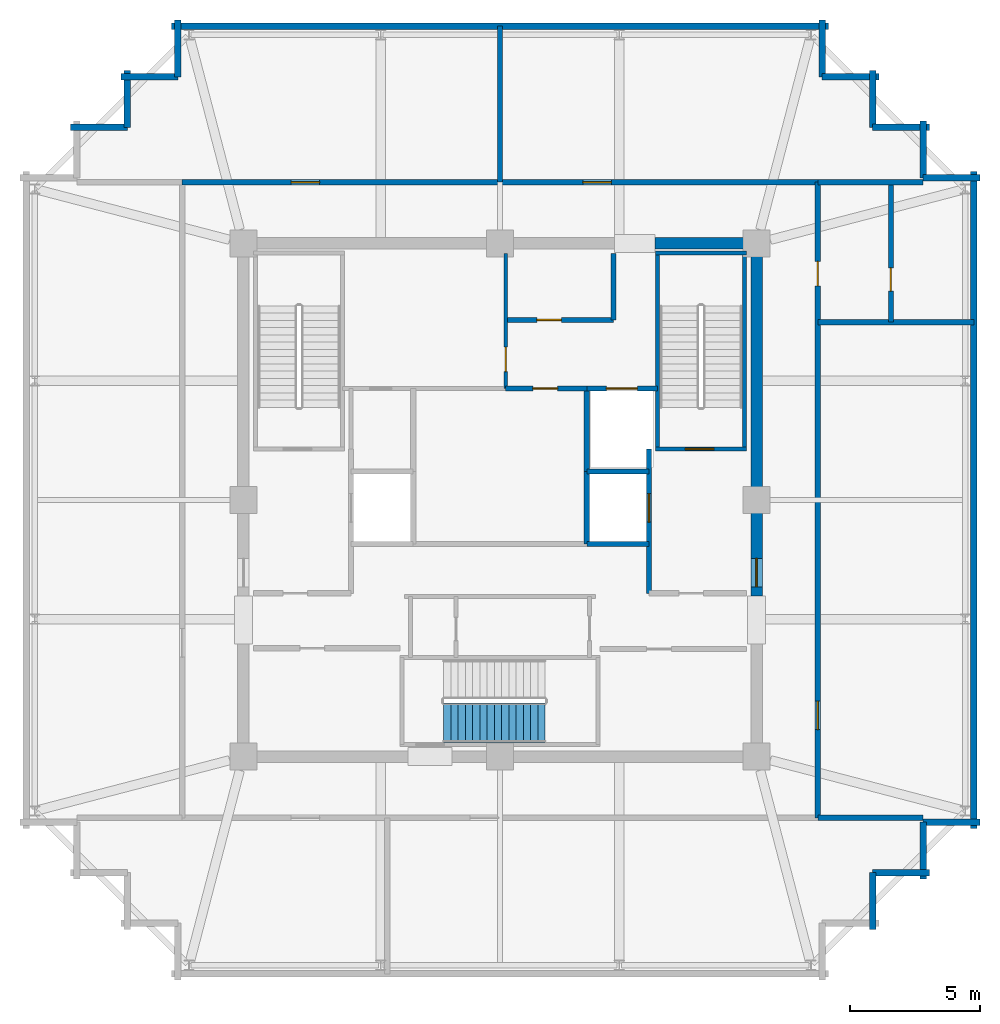
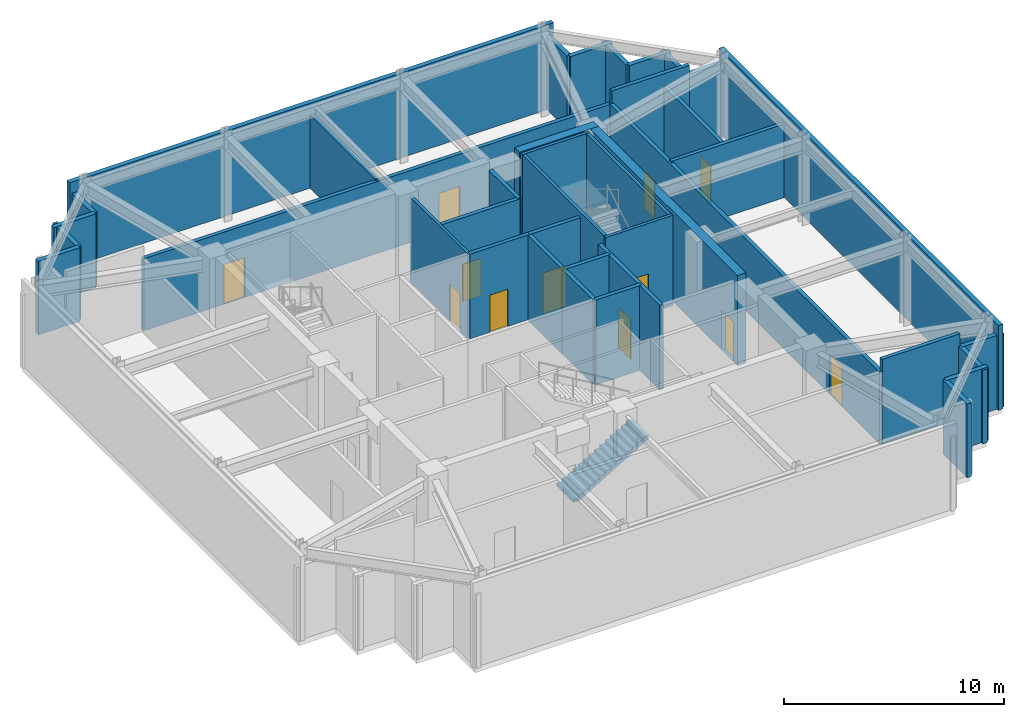
# One storey, part 3 of 5: 39 walls, 12 doors, 1 stair flight, 12 openings, 1 element without a shape of its own.
"""IFC4 building model written with IfcOpenShell, lengths in metres."""

from ifc_helpers import new_model, si_unit, direction, frame, frame_2d, origin, place, context, subcontext, project, spatial, polyline, rectangle, outline, extrude, material, layer, layer_set, type_object, element, fill, aggregate, save


model = new_model("IFC4")

# Units and contexts
model_context = context("Model", 3, precision=1e-05, world=origin(), true_north=direction((0.0, 1.0)))
body_context = subcontext(model_context, "Body", "Model", "MODEL_VIEW")
ifc_project = project(units=[si_unit("LENGTHUNIT", "METRE"), si_unit("AREAUNIT", "SQUARE_METRE"), si_unit("VOLUMEUNIT", "CUBIC_METRE"), si_unit("PLANEANGLEUNIT", "RADIAN"), si_unit("MASSUNIT", "GRAM", prefix="KILO")], contexts=[model_context])

# Site, building, storey
site_placement = place(None, origin())
site = spatial("IfcSite", under=ifc_project, at=site_placement, CompositionType="ELEMENT")
building_placement = place(site_placement, origin())
building = spatial("IfcBuilding", under=site, at=building_placement, Name="Kolvaren Belvedere", CompositionType="ELEMENT")
storey_placement = place(building_placement, frame((0.0, 0.0, 277.39990234375)))
storey = spatial("IfcBuildingStorey", under=building, at=storey_placement, Name="L79", CompositionType="ELEMENT", Elevation=277.39990234375)

# Wall
ifc_material_1 = material(Name="Concrete C50/60", Category="concrete")
ifc_layer_1 = layer(ifc_material_1, 0.449951171875)
ifc_layer_set_1 = layer_set([ifc_layer_1], Name="Concrete C50/60")
wall_type_1 = type_object("IfcWallType", Name="CW-CORE-450", PredefinedType="SHEAR", material=ifc_layer_set_1)
wall_1_placement = place(storey_placement, frame((5.97998046875, 9.89990234375, 0.0), z_axis=(0.0, 0.0, 1.0), x_axis=(1.0, 0.0, 0.0)))
element("IfcWall", 1, at=wall_1_placement, inside=storey, type_object=wall_type_1, Name="L79 North Core Shear Wall 2", PredefinedType="SHEAR", context=body_context, shape_type="SweptSolid", body=[
    extrude(rectangle(XDim=4.14501953125, YDim=0.449951171875, at=frame_2d((2.072509765625, 0.0))), origin(), (0.0, 0.0, 1.0), 5.0),
])

# Wall, opening, door
wall_2_placement = place(storey_placement, frame((9.89990234375, -3.699951171875, 0.0), z_axis=(0.0, 0.0, 1.0), x_axis=(0.0, 1.0, 0.0)))
wall_2 = element("IfcWall", 2, at=wall_2_placement, inside=storey, type_object=wall_type_1, Name="L79 East Core Shear Wall 2", PredefinedType="SHEAR", context=body_context, shape_type="SweptSolid", body=[
    extrude(rectangle(XDim=13.375, YDim=0.449951171875, at=frame_2d((6.6875, 0.0))), origin(), (0.0, 0.0, 1.0), 5.0),
])
opening_1_placement = place(wall_2_placement, frame((0.35009765625, 0.0, 0.0)))
opening_1 = element("IfcOpeningElement", 3, at=opening_1_placement, cuts=wall_2, Name="Opening D-FD90", PredefinedType="OPENING", context=body_context, shape_type="SweptSolid", body=[
    extrude(rectangle(XDim=1.10009765625, YDim=2.199951171875, at=frame_2d((0.550048828125, 1.10009765625))), frame((0.0, 0.23486328125, 0.0), z_axis=(0.0, -1.0, 0.0), x_axis=(1.0, 0.0, 0.0)), (0.0, 0.0, 1.0), 0.469970703125),
])
ifc_material_2 = material(Name="Painted hollow stainless steel", Category="steel")
door_type_1 = type_object("IfcDoorType", Name="DR-FD90-1100", OperationType="NOTDEFINED", PredefinedType="DOOR", material=ifc_material_2)
door_1_placement = place(opening_1_placement, origin())
door_1 = element("IfcDoor", 4, at=door_1_placement, inside=storey, type_object=door_type_1, Name="L79 East Firefighting Lobby Fire Door", OperationType="SINGLE_SWING_RIGHT", OverallHeight=2.199951171875, OverallWidth=1.10009765625, PredefinedType="DOOR", context=body_context, shape_type="SweptSolid", body=[
    extrude(rectangle(XDim=1.10009765625, YDim=2.199951171875, at=frame_2d((0.550048828125, 1.10009765625))), frame((0.0, 0.02490234375, 0.0), z_axis=(0.0, -1.0, 0.0), x_axis=(1.0, 0.0, 0.0)), (0.0, 0.0, 1.0), 0.050048828125),
])
fill(opening_1, door_1)

ifc_material_3 = material(Name="Concrete C50/60", Category="concrete")
ifc_layer_2 = layer(ifc_material_3, 0.159912109375)
ifc_layer_set_2 = layer_set([ifc_layer_2], Name="Concrete C50/60")
wall_type_2 = type_object("IfcWallType", Name="CW-STAIR-160", PredefinedType="SHEAR", material=ifc_layer_set_2)
wall_3_placement = place(storey_placement, frame((6.0, 1.969970703125, 0.0), z_axis=(0.0, 0.0, 1.0), x_axis=(1.0, 0.0, 0.0)))
wall_3 = element("IfcWall", 5, at=wall_3_placement, inside=storey, type_object=wall_type_2, Name="L79 Stair ST-2 South Shear Wall", PredefinedType="SHEAR", context=body_context, shape_type="SweptSolid", body=[
    extrude(rectangle(XDim=3.52001953125, YDim=0.159912109375, at=frame_2d((1.760009765625, 0.0))), origin(), (0.0, 0.0, 1.0), 5.0),
])
opening_2_placement = place(wall_3_placement, frame((1.14990234375, 0.0, 0.0)))
opening_2 = element("IfcOpeningElement", 6, at=opening_2_placement, cuts=wall_3, Name="Opening D-FD90", PredefinedType="OPENING", context=body_context, shape_type="SweptSolid", body=[
    extrude(rectangle(XDim=1.10009765625, YDim=2.199951171875, at=frame_2d((0.550048828125, 1.10009765625))), frame((0.0, 0.08984375, 0.0), z_axis=(0.0, -1.0, 0.0), x_axis=(1.0, 0.0, 0.0)), (0.0, 0.0, 1.0), 0.179931640625),
])
door_2_placement = place(opening_2_placement, origin())
door_2 = element("IfcDoor", 7, at=door_2_placement, inside=storey, type_object=door_type_1, Name="L79 Stair ST-2 Fire Door", OperationType="SINGLE_SWING_RIGHT", OverallHeight=2.199951171875, OverallWidth=1.10009765625, PredefinedType="DOOR", context=body_context, shape_type="SweptSolid", body=[
    extrude(rectangle(XDim=1.10009765625, YDim=2.199951171875, at=frame_2d((0.550048828125, 1.10009765625))), frame((0.0, 0.02490234375, 0.0), z_axis=(0.0, -1.0, 0.0), x_axis=(1.0, 0.0, 0.0)), (0.0, 0.0, 1.0), 0.050048828125),
])
fill(opening_2, door_2)

# Walls
wall_4_placement = place(storey_placement, frame((6.0, 9.530029296875, 0.0), z_axis=(0.0, 0.0, 1.0), x_axis=(1.0, 0.0, 0.0)))
element("IfcWall", 8, at=wall_4_placement, inside=storey, type_object=wall_type_2, Name="L79 Stair ST-2 North Shear Wall", PredefinedType="SHEAR", context=body_context, shape_type="SweptSolid", body=[
    extrude(rectangle(XDim=3.52001953125, YDim=0.159912109375, at=frame_2d((1.760009765625, 0.0))), origin(), (0.0, 0.0, 1.0), 5.0),
])
for number, where, z_axis, x_axis, name in (
    (9, (6.080078125, 1.969970703125, 0.0), (0.0, 0.0, 1.0), (0.0, 1.0, 0.0), "L79 Stair ST-2 West Shear Wall"),
    (10, (9.429931640625, 1.969970703125, 0.0), (0.0, 0.0, 1.0), (0.0, 1.0, 0.0), "L79 Stair ST-2 East Shear Wall"),
):
    element("IfcWall", number, at=place(storey_placement, frame(where, z_axis=z_axis, x_axis=x_axis)), inside=storey, type_object=wall_type_2, Name=name, PredefinedType="SHEAR", context=body_context, shape_type="SweptSolid", body=[
        extrude(rectangle(XDim=7.56005859375, YDim=0.159912109375, at=frame_2d((3.780029296875, 0.0))), origin(), (0.0, 0.0, 1.0), 5.0),
    ])
ifc_material_4 = material(Name="Insulated acoustic pale-metal louvre wall", Category="aluminium")
ifc_layer_3 = layer(ifc_material_4, 0.239990234375)
ifc_layer_set_3 = layer_set([ifc_layer_3], Name="Insulated acoustic pale-metal louvre wall")
wall_type_3 = type_object("IfcWallType", Name="WL-LOUV-240", PredefinedType="STANDARD", material=ifc_layer_set_3)
for number, where, z_axis, x_axis, name in (
    (11, (14.3798828125, -14.3798828125, 0.0), (0.0, 0.0, 1.0), (0.0, -1.0, 0.0), "L79 Acoustic Louvre Facade Wall 4"),
    (12, (16.570068359375, -14.3798828125, 0.0), (0.0, 0.0, 1.0), (-1.0, 0.0, 0.0), "L79 Acoustic Louvre Facade Wall 5"),
    (13, (16.330078125, -12.429931640625, 0.0), (0.0, 0.0, 1.0), (0.0, -1.0, 0.0), "L79 Acoustic Louvre Facade Wall 6"),
):
    element("IfcWall", number, at=place(storey_placement, frame(where, z_axis=z_axis, x_axis=x_axis)), inside=storey, type_object=wall_type_3, Name=name, PredefinedType="STANDARD", context=body_context, shape_type="SweptSolid", body=[
        extrude(rectangle(XDim=2.190185546875, YDim=0.239990234375, at=frame_2d((1.09521484375, 0.0))), origin(), (0.0, 0.0, 1.0), 4.0830078125),
    ])
wall_5_placement = place(storey_placement, frame((18.52001953125, -12.429931640625, 0.0), z_axis=(0.0, 0.0, 1.0), x_axis=(-1.0, 0.0, 0.0)))
element("IfcWall", 14, at=wall_5_placement, inside=storey, type_object=wall_type_3, Name="L79 Acoustic Louvre Facade Wall 7", PredefinedType="STANDARD", context=body_context, shape_type="SweptSolid", body=[
    extrude(rectangle(XDim=2.18994140625, YDim=0.239990234375, at=frame_2d((1.094970703125, 0.0))), origin(), (0.0, 0.0, 1.0), 4.0830078125),
])
wall_6_placement = place(storey_placement, frame((18.280029296875, 12.669921875, 0.0), z_axis=(0.0, 0.0, 1.0), x_axis=(0.0, -1.0, 0.0)))
element("IfcWall", 15, at=wall_6_placement, inside=storey, type_object=wall_type_3, Name="L79 Acoustic Louvre Facade Wall 8", PredefinedType="STANDARD", context=body_context, shape_type="SweptSolid", body=[
    extrude(rectangle(XDim=25.33984375, YDim=0.239990234375, at=frame_2d((12.669921875, 0.0))), origin(), (0.0, 0.0, 1.0), 4.7001953125),
])
wall_7_placement = place(storey_placement, frame((16.330078125, 12.429931640625, 0.0), z_axis=(0.0, 0.0, 1.0), x_axis=(1.0, 0.0, 0.0)))
element("IfcWall", 16, at=wall_7_placement, inside=storey, type_object=wall_type_3, Name="L79 Acoustic Louvre Facade Wall 9", PredefinedType="STANDARD", context=body_context, shape_type="SweptSolid", body=[
    extrude(rectangle(XDim=2.18994140625, YDim=0.239990234375, at=frame_2d((1.094970703125, 0.0))), origin(), (0.0, 0.0, 1.0), 4.0830078125),
])
for number, where, z_axis, x_axis, name in (
    (17, (16.330078125, 14.6201171875, 0.0), (0.0, 0.0, 1.0), (0.0, -1.0, 0.0), "L79 Acoustic Louvre Facade Wall 10"),
    (18, (14.3798828125, 14.3798828125, 0.0), (0.0, 0.0, 1.0), (1.0, 0.0, 0.0), "L79 Acoustic Louvre Facade Wall 11"),
    (19, (14.3798828125, 16.570068359375, 0.0), (0.0, 0.0, 1.0), (0.0, -1.0, 0.0), "L79 Acoustic Louvre Facade Wall 12"),
    (20, (12.429931640625, 16.330078125, 0.0), (0.0, 0.0, 1.0), (1.0, 0.0, 0.0), "L79 Acoustic Louvre Facade Wall 13"),
):
    element("IfcWall", number, at=place(storey_placement, frame(where, z_axis=z_axis, x_axis=x_axis)), inside=storey, type_object=wall_type_3, Name=name, PredefinedType="STANDARD", context=body_context, shape_type="SweptSolid", body=[
        extrude(rectangle(XDim=2.190185546875, YDim=0.239990234375, at=frame_2d((1.09521484375, 0.0))), origin(), (0.0, 0.0, 1.0), 4.0830078125),
    ])
wall_8_placement = place(storey_placement, frame((12.429931640625, 18.52001953125, 0.0), z_axis=(0.0, 0.0, 1.0), x_axis=(0.0, -1.0, 0.0)))
element("IfcWall", 21, at=wall_8_placement, inside=storey, type_object=wall_type_3, Name="L79 Acoustic Louvre Facade Wall 14", PredefinedType="STANDARD", context=body_context, shape_type="SweptSolid", body=[
    extrude(rectangle(XDim=2.18994140625, YDim=0.239990234375, at=frame_2d((1.094970703125, 0.0))), origin(), (0.0, 0.0, 1.0), 4.0830078125),
])
wall_9_placement = place(storey_placement, frame((-12.669921875, 18.280029296875, 0.0), z_axis=(0.0, 0.0, 1.0), x_axis=(1.0, 0.0, 0.0)))
element("IfcWall", 22, at=wall_9_placement, inside=storey, type_object=wall_type_3, Name="L79 Acoustic Louvre Facade Wall 15", PredefinedType="STANDARD", context=body_context, shape_type="SweptSolid", body=[
    extrude(rectangle(XDim=25.33984375, YDim=0.239990234375, at=frame_2d((12.669921875, 0.0))), origin(), (0.0, 0.0, 1.0), 4.7001953125),
])
wall_10_placement = place(storey_placement, frame((-12.429931640625, 16.330078125, 0.0), z_axis=(0.0, 0.0, 1.0), x_axis=(0.0, 1.0, 0.0)))
element("IfcWall", 23, at=wall_10_placement, inside=storey, type_object=wall_type_3, Name="L79 Acoustic Louvre Facade Wall 16", PredefinedType="STANDARD", context=body_context, shape_type="SweptSolid", body=[
    extrude(rectangle(XDim=2.18994140625, YDim=0.239990234375, at=frame_2d((1.094970703125, 0.0))), origin(), (0.0, 0.0, 1.0), 4.0830078125),
])
for number, where, z_axis, x_axis, name in (
    (24, (-14.6201171875, 16.330078125, 0.0), (0.0, 0.0, 1.0), (1.0, 0.0, 0.0), "L79 Acoustic Louvre Facade Wall 17"),
    (25, (-14.3798828125, 14.3798828125, 0.0), (0.0, 0.0, 1.0), (0.0, 1.0, 0.0), "L79 Acoustic Louvre Facade Wall 18"),
    (26, (-16.570068359375, 14.3798828125, 0.0), (0.0, 0.0, 1.0), (1.0, 0.0, 0.0), "L79 Acoustic Louvre Facade Wall 19"),
):
    element("IfcWall", number, at=place(storey_placement, frame(where, z_axis=z_axis, x_axis=x_axis)), inside=storey, type_object=wall_type_3, Name=name, PredefinedType="STANDARD", context=body_context, shape_type="SweptSolid", body=[
        extrude(rectangle(XDim=2.190185546875, YDim=0.239990234375, at=frame_2d((1.09521484375, 0.0))), origin(), (0.0, 0.0, 1.0), 4.0830078125),
    ])

# Wall, opening, door
ifc_material_5 = material(Name="Gypsum acoustic partition assembly", Category="gypsum")
ifc_layer_4 = layer(ifc_material_5, 0.14990234375)
ifc_layer_set_4 = layer_set([ifc_layer_4], Name="Gypsum acoustic partition assembly")
wall_type_4 = type_object("IfcWallType", Name="WL-PART-150", PredefinedType="PARTITIONING", material=ifc_layer_set_4)
wall_11_placement = place(storey_placement, frame((0.219970703125, 4.300048828125, 0.0), z_axis=(0.0, 0.0, 1.0), x_axis=(0.0, 1.0, 0.0)))
wall_11 = element("IfcWall", 27, at=wall_11_placement, inside=storey, type_object=wall_type_4, Name="L79 Reclaimed Salon East Wall", PredefinedType="PARTITIONING", context=body_context, shape_type="SweptSolid", body=[
    extrude(rectangle(XDim=5.219970703125, YDim=0.14990234375, at=frame_2d((2.60986328125, 0.0))), origin(), (0.0, 0.0, 1.0), 4.7001953125),
])
opening_3_placement = place(wall_11_placement, frame((0.64990234375, 0.0, 0.0)))
opening_3 = element("IfcOpeningElement", 28, at=opening_3_placement, cuts=wall_11, Name="Opening D-INT95", PredefinedType="OPENING", context=body_context, shape_type="SweptSolid", body=[
    extrude(rectangle(XDim=0.949951171875, YDim=2.06005859375, at=frame_2d((0.47509765625, 1.030029296875))), frame((0.0, 0.0849609375, 0.0), z_axis=(0.0, -1.0, 0.0), x_axis=(1.0, 0.0, 0.0)), (0.0, 0.0, 1.0), 0.169921875),
])
ifc_material_6 = material(Name="Stained Pacific white oak", Category="timber")
door_type_2 = type_object("IfcDoorType", Name="DR-INT-950", OperationType="NOTDEFINED", PredefinedType="DOOR", material=ifc_material_6)
door_3_placement = place(opening_3_placement, origin())
door_3 = element("IfcDoor", 29, at=door_3_placement, inside=storey, type_object=door_type_2, Name="L79 Telemetry & Controls Mechanical Plant Door", OperationType="SINGLE_SWING_LEFT", OverallHeight=2.06005859375, OverallWidth=0.949951171875, PredefinedType="DOOR", context=body_context, shape_type="SweptSolid", body=[
    extrude(rectangle(XDim=0.949951171875, YDim=2.06005859375, at=frame_2d((0.47509765625, 1.030029296875))), frame((0.0, 0.02490234375, 0.0), z_axis=(0.0, -1.0, 0.0), x_axis=(1.0, 0.0, 0.0)), (0.0, 0.0, 1.0), 0.050048828125),
])
fill(opening_3, door_3)

ifc_material_7 = material(Name="Concrete C50/60", Category="concrete")
ifc_layer_5 = layer(ifc_material_7, 0.199951171875)
ifc_layer_set_5 = layer_set([ifc_layer_5], Name="Concrete C50/60")
wall_type_5 = type_object("IfcWallType", Name="WL-SHAFT-200", PredefinedType="SOLIDWALL", material=ifc_layer_set_5)
wall_12_placement = place(storey_placement, frame((5.75, -3.60009765625, 0.0), z_axis=(0.0, 0.0, 1.0), x_axis=(0.0, 1.0, 0.0)))
wall_12 = element("IfcWall", 30, at=wall_12_placement, inside=storey, type_object=wall_type_5, Name="L79 FSAE FS2 Landing Wall", PredefinedType="SOLIDWALL", context=body_context, shape_type="SweptSolid", body=[
    extrude(rectangle(XDim=5.570068359375, YDim=0.199951171875, at=frame_2d((2.78515625, 0.0))), origin(), (0.0, 0.0, 1.0), 4.7001953125),
])
opening_4_placement = place(wall_12_placement, frame((2.75, 0.0, 0.0)))
opening_4 = element("IfcOpeningElement", 31, at=opening_4_placement, cuts=wall_12, Name="Opening LD-11", PredefinedType="OPENING", context=body_context, shape_type="SweptSolid", body=[
    extrude(rectangle(XDim=1.10009765625, YDim=2.199951171875, at=frame_2d((0.550048828125, 1.10009765625))), frame((0.0, 0.10986328125, 0.0), z_axis=(0.0, -1.0, 0.0), x_axis=(1.0, 0.0, 0.0)), (0.0, 0.0, 1.0), 0.219970703125),
])
ifc_material_8 = material(Name="Brushed stainless steel", Category="steel")
door_type_3 = type_object("IfcDoorType", Name="DR-LIFT-1100", OperationType="DOUBLE_DOOR_SLIDING", PredefinedType="DOOR", material=ifc_material_8)
door_4_placement = place(opening_4_placement, origin())
door_4 = element("IfcDoor", 32, at=door_4_placement, inside=storey, type_object=door_type_3, Name="L79 Firefighting Lift FS2 Landing Door", OperationType="DOUBLE_DOOR_SLIDING", OverallHeight=2.199951171875, OverallWidth=1.10009765625, PredefinedType="DOOR", context=body_context, shape_type="SweptSolid", body=[
    extrude(rectangle(XDim=1.10009765625, YDim=2.199951171875, at=frame_2d((0.550048828125, 1.10009765625))), frame((0.0, 0.02490234375, 0.0), z_axis=(0.0, -1.0, 0.0), x_axis=(1.0, 0.0, 0.0)), (0.0, 0.0, 1.0), 0.050048828125),
])
fill(opening_4, door_4)

# Walls
wall_13_placement = place(storey_placement, frame((3.35009765625, -1.699951171875, 0.0), z_axis=(0.0, 0.0, 1.0), x_axis=(0.0, 1.0, 0.0)))
element("IfcWall", 33, at=wall_13_placement, inside=storey, type_object=wall_type_5, Name="L79 FSAE FS2 Back Wall", PredefinedType="SOLIDWALL", context=body_context, shape_type="SweptSolid", body=[
    extrude(rectangle(XDim=2.800048828125, YDim=0.199951171875, at=frame_2d((1.39990234375, 0.0))), origin(), (0.0, 0.0, 1.0), 4.7001953125),
])
for number, where, z_axis, x_axis, name in (
    (34, (3.35009765625, -1.699951171875, 0.0), (0.0, 0.0, 1.0), (1.0, 0.0, 0.0), "L79 FSAE FS2 South Wall"),
    (35, (3.35009765625, 1.10009765625, 0.0), (0.0, 0.0, 1.0), (1.0, 0.0, 0.0), "L79 FSAE FS2 North Wall"),
):
    element("IfcWall", number, at=place(storey_placement, frame(where, z_axis=z_axis, x_axis=x_axis)), inside=storey, type_object=wall_type_5, Name=name, PredefinedType="SOLIDWALL", context=body_context, shape_type="SweptSolid", body=[
        extrude(rectangle(XDim=2.39990234375, YDim=0.199951171875, at=frame_2d((1.199951171875, 0.0))), origin(), (0.0, 0.0, 1.0), 4.7001953125),
    ])

# Wall, opening, door
wall_14_placement = place(storey_placement, frame((3.35009765625, 4.300048828125, 0.0), z_axis=(0.0, 0.0, 1.0), x_axis=(1.0, 0.0, 0.0)))
wall_14 = element("IfcWall", 36, at=wall_14_placement, inside=storey, type_object=wall_type_5, Name="L79 Service Lift SV1 Front Wall", PredefinedType="SOLIDWALL", context=body_context, shape_type="SweptSolid", body=[
    extrude(rectangle(XDim=2.72998046875, YDim=0.199951171875, at=frame_2d((1.364990234375, 0.0))), origin(), (0.0, 0.0, 1.0), 4.7001953125),
])
opening_5_placement = place(wall_14_placement, frame((0.75, 0.0, 0.0)))
opening_5 = element("IfcOpeningElement", 37, at=opening_5_placement, cuts=wall_14, Name="Opening LD-12", PredefinedType="OPENING", context=body_context, shape_type="SweptSolid", body=[
    extrude(rectangle(XDim=1.199951171875, YDim=2.25, at=frame_2d((0.60009765625, 1.125))), frame((0.0, 0.10986328125, 0.0), z_axis=(0.0, -1.0, 0.0), x_axis=(1.0, 0.0, 0.0)), (0.0, 0.0, 1.0), 0.219970703125),
])
ifc_material_9 = material(Name="Brushed stainless steel", Category="steel")
door_type_4 = type_object("IfcDoorType", Name="DR-LIFT-1200", OperationType="DOUBLE_DOOR_SLIDING", PredefinedType="DOOR", material=ifc_material_9)
door_5_placement = place(opening_5_placement, origin())
door_5 = element("IfcDoor", 38, at=door_5_placement, inside=storey, type_object=door_type_4, Name="L79 Service Lift SV1 Landing Door", OperationType="DOUBLE_DOOR_SLIDING", OverallHeight=2.25, OverallWidth=1.199951171875, PredefinedType="DOOR", context=body_context, shape_type="SweptSolid", body=[
    extrude(rectangle(XDim=1.199951171875, YDim=2.25, at=frame_2d((0.60009765625, 1.125))), frame((0.0, 0.02490234375, 0.0), z_axis=(0.0, -1.0, 0.0), x_axis=(1.0, 0.0, 0.0)), (0.0, 0.0, 1.0), 0.050048828125),
])
fill(opening_5, door_5)

wall_15_placement = place(storey_placement, frame((0.219970703125, 6.949951171875, 0.0), z_axis=(0.0, 0.0, 1.0), x_axis=(1.0, 0.0, 0.0)))
wall_15 = element("IfcWall", 39, at=wall_15_placement, inside=storey, type_object=wall_type_5, Name="L79 Shuttle Control Wall", PredefinedType="SOLIDWALL", context=body_context, shape_type="SweptSolid", body=[
    extrude(rectangle(XDim=4.159912109375, YDim=0.199951171875, at=frame_2d((2.080078125, 0.0))), origin(), (0.0, 0.0, 1.0), 4.7001953125),
])
opening_6_placement = place(wall_15_placement, frame((1.199951171875, 0.0, 0.0)))
opening_6 = element("IfcOpeningElement", 40, at=opening_6_placement, cuts=wall_15, Name="Opening D-FD60", PredefinedType="OPENING", context=body_context, shape_type="SweptSolid", body=[
    extrude(rectangle(XDim=0.949951171875, YDim=2.06005859375, at=frame_2d((0.47509765625, 1.030029296875))), frame((0.0, 0.10986328125, 0.0), z_axis=(0.0, -1.0, 0.0), x_axis=(1.0, 0.0, 0.0)), (0.0, 0.0, 1.0), 0.219970703125),
])
ifc_material_10 = material(Name="Acoustic white-oak fire door leaf", Category="timber")
door_type_5 = type_object("IfcDoorType", Name="DR-FD60-950", OperationType="NOTDEFINED", PredefinedType="DOOR", material=ifc_material_10)
door_6_placement = place(opening_6_placement, origin())
door_6 = element("IfcDoor", 41, at=door_6_placement, inside=storey, type_object=door_type_5, Name="L79 Shuttle Control Door", OperationType="SINGLE_SWING_LEFT", OverallHeight=2.06005859375, OverallWidth=0.949951171875, PredefinedType="DOOR", context=body_context, shape_type="SweptSolid", body=[
    extrude(rectangle(XDim=0.949951171875, YDim=2.06005859375, at=frame_2d((0.47509765625, 1.030029296875))), frame((0.0, 0.02490234375, 0.0), z_axis=(0.0, -1.0, 0.0), x_axis=(1.0, 0.0, 0.0)), (0.0, 0.0, 1.0), 0.050048828125),
])
fill(opening_6, door_6)

# Wall
wall_16_placement = place(storey_placement, frame((4.3798828125, 6.949951171875, 0.0), z_axis=(0.0, 0.0, 1.0), x_axis=(0.0, 1.0, 0.0)))
element("IfcWall", 42, at=wall_16_placement, inside=storey, type_object=wall_type_5, Name="L79 Shuttle Control East Wall", PredefinedType="SOLIDWALL", context=body_context, shape_type="SweptSolid", body=[
    extrude(rectangle(XDim=2.570068359375, YDim=0.199951171875, at=frame_2d((1.28515625, 0.0))), origin(), (0.0, 0.0, 1.0), 4.7001953125),
])

# Wall, opening, door
wall_17_placement = place(storey_placement, frame((0.219970703125, 4.300048828125, 0.0), z_axis=(0.0, 0.0, 1.0), x_axis=(1.0, 0.0, 0.0)))
wall_17 = element("IfcWall", 43, at=wall_17_placement, inside=storey, type_object=wall_type_5, Name="L79 Central Core Room North Wall", PredefinedType="SOLIDWALL", context=body_context, shape_type="SweptSolid", body=[
    extrude(rectangle(XDim=3.130126953125, YDim=0.199951171875, at=frame_2d((1.56494140625, 0.0))), origin(), (0.0, 0.0, 1.0), 4.7001953125),
])
opening_7_placement = place(wall_17_placement, frame((1.050048828125, 0.0, 0.0)))
opening_7 = element("IfcOpeningElement", 44, at=opening_7_placement, cuts=wall_17, Name="Opening D-FD60", PredefinedType="OPENING", context=body_context, shape_type="SweptSolid", body=[
    extrude(rectangle(XDim=0.949951171875, YDim=2.06005859375, at=frame_2d((0.47509765625, 1.030029296875))), frame((0.0, 0.10986328125, 0.0), z_axis=(0.0, -1.0, 0.0), x_axis=(1.0, 0.0, 0.0)), (0.0, 0.0, 1.0), 0.219970703125),
])
door_7_placement = place(opening_7_placement, origin())
door_7 = element("IfcDoor", 45, at=door_7_placement, inside=storey, type_object=door_type_5, Name="L79 Central Core Controls Door", OperationType="SINGLE_SWING_LEFT", OverallHeight=2.06005859375, OverallWidth=0.949951171875, PredefinedType="DOOR", context=body_context, shape_type="SweptSolid", body=[
    extrude(rectangle(XDim=0.949951171875, YDim=2.06005859375, at=frame_2d((0.47509765625, 1.030029296875))), frame((0.0, 0.02490234375, 0.0), z_axis=(0.0, -1.0, 0.0), x_axis=(1.0, 0.0, 0.0)), (0.0, 0.0, 1.0), 0.050048828125),
])
fill(opening_7, door_7)

# Wall
wall_18_placement = place(storey_placement, frame((3.35009765625, 1.10009765625, 0.0), z_axis=(0.0, 0.0, 1.0), x_axis=(0.0, 1.0, 0.0)))
element("IfcWall", 46, at=wall_18_placement, inside=storey, type_object=wall_type_5, Name="L79 Central Core Room East Wall", PredefinedType="SOLIDWALL", context=body_context, shape_type="SweptSolid", body=[
    extrude(rectangle(XDim=3.199951171875, YDim=0.199951171875, at=frame_2d((1.60009765625, 0.0))), origin(), (0.0, 0.0, 1.0), 4.7001953125),
])

# Wall, openings, doors
wall_19_placement = place(storey_placement, frame((-12.260009765625, 12.260009765625, 0.0), z_axis=(0.0, 0.0, 1.0), x_axis=(1.0, 0.0, 0.0)))
wall_19 = element("IfcWall", 47, at=wall_19_placement, inside=storey, type_object=wall_type_5, Name="L79 North Corridor Wall", PredefinedType="SOLIDWALL", context=body_context, shape_type="SweptSolid", body=[
    extrude(rectangle(XDim=24.52001953125, YDim=0.199951171875, at=frame_2d((12.260009765625, 0.0))), origin(), (0.0, 0.0, 1.0), 3.989013671875),
])
opening_8_placement = place(wall_19_placement, frame((4.199951171875, 0.0, 0.0)))
opening_8 = element("IfcOpeningElement", 48, at=opening_8_placement, cuts=wall_19, Name="Opening D-FD90", PredefinedType="OPENING", context=body_context, shape_type="SweptSolid", body=[
    extrude(rectangle(XDim=1.10009765625, YDim=2.199951171875, at=frame_2d((0.550048828125, 1.10009765625))), frame((0.0, 0.10986328125, 0.0), z_axis=(0.0, -1.0, 0.0), x_axis=(1.0, 0.0, 0.0)), (0.0, 0.0, 1.0), 0.219970703125),
])
opening_9_placement = place(wall_19_placement, frame((15.4599609375, 0.0, 0.0)))
opening_9 = element("IfcOpeningElement", 49, at=opening_9_placement, cuts=wall_19, Name="Opening D-FD90", PredefinedType="OPENING", context=body_context, shape_type="SweptSolid", body=[
    extrude(rectangle(XDim=1.10009765625, YDim=2.199951171875, at=frame_2d((0.550048828125, 1.10009765625))), frame((0.0, 0.10986328125, 0.0), z_axis=(0.0, -1.0, 0.0), x_axis=(1.0, 0.0, 0.0)), (0.0, 0.0, 1.0), 0.219970703125),
])
door_8_placement = place(opening_8_placement, origin())
door_8 = element("IfcDoor", 50, at=door_8_placement, inside=storey, type_object=door_type_1, Name="L79 Aviation Telemetry Mechanical Plant Door", OperationType="SINGLE_SWING_RIGHT", OverallHeight=2.199951171875, OverallWidth=1.10009765625, PredefinedType="DOOR", context=body_context, shape_type="SweptSolid", body=[
    extrude(rectangle(XDim=1.10009765625, YDim=2.199951171875, at=frame_2d((0.550048828125, 1.10009765625))), frame((0.0, 0.02490234375, 0.0), z_axis=(0.0, -1.0, 0.0), x_axis=(1.0, 0.0, 0.0)), (0.0, 0.0, 1.0), 0.050048828125),
])
fill(opening_8, door_8)
door_9_placement = place(opening_9_placement, origin())
door_9 = element("IfcDoor", 51, at=door_9_placement, inside=storey, type_object=door_type_1, Name="L79 Auxiliary Controls Mechanical Plant Door", OperationType="SINGLE_SWING_LEFT", OverallHeight=2.199951171875, OverallWidth=1.10009765625, PredefinedType="DOOR", context=body_context, shape_type="SweptSolid", body=[
    extrude(rectangle(XDim=1.10009765625, YDim=2.199951171875, at=frame_2d((0.550048828125, 1.10009765625))), frame((0.0, 0.02490234375, 0.0), z_axis=(0.0, -1.0, 0.0), x_axis=(1.0, 0.0, 0.0)), (0.0, 0.0, 1.0), 0.050048828125),
])
fill(opening_9, door_9)

wall_20_placement = place(storey_placement, frame((12.260009765625, -12.260009765625, 0.0), z_axis=(0.0, 0.0, 1.0), x_axis=(0.0, 1.0, 0.0)))
wall_20 = element("IfcWall", 52, at=wall_20_placement, inside=storey, type_object=wall_type_5, Name="L79 East Corridor Wall", PredefinedType="SOLIDWALL", context=body_context, shape_type="SweptSolid", body=[
    extrude(rectangle(XDim=24.52001953125, YDim=0.199951171875, at=frame_2d((12.260009765625, 0.0))), origin(), (0.0, 0.0, 1.0), 3.989013671875),
])
opening_10_placement = place(wall_20_placement, frame((3.39990234375, 0.0, 0.0)))
opening_10 = element("IfcOpeningElement", 53, at=opening_10_placement, cuts=wall_20, Name="Opening D-FD90", PredefinedType="OPENING", context=body_context, shape_type="SweptSolid", body=[
    extrude(rectangle(XDim=1.10009765625, YDim=2.199951171875, at=frame_2d((0.550048828125, 1.10009765625))), frame((0.0, 0.10986328125, 0.0), z_axis=(0.0, -1.0, 0.0), x_axis=(1.0, 0.0, 0.0)), (0.0, 0.0, 1.0), 0.219970703125),
])
opening_11_placement = place(wall_20_placement, frame((20.52001953125, 0.0, 0.0)))
opening_11 = element("IfcOpeningElement", 54, at=opening_11_placement, cuts=wall_20, Name="Opening D-INT95", PredefinedType="OPENING", context=body_context, shape_type="SweptSolid", body=[
    extrude(rectangle(XDim=0.949951171875, YDim=2.06005859375, at=frame_2d((0.47509765625, 1.030029296875))), frame((0.0, 0.10986328125, 0.0), z_axis=(0.0, -1.0, 0.0), x_axis=(1.0, 0.0, 0.0)), (0.0, 0.0, 1.0), 0.219970703125),
])
door_10_placement = place(opening_10_placement, origin())
door_10 = element("IfcDoor", 55, at=door_10_placement, inside=storey, type_object=door_type_1, Name="L79 High-Zone Smoke Fan Mechanical Plant Door", OperationType="SINGLE_SWING_RIGHT", OverallHeight=2.199951171875, OverallWidth=1.10009765625, PredefinedType="DOOR", context=body_context, shape_type="SweptSolid", body=[
    extrude(rectangle(XDim=1.10009765625, YDim=2.199951171875, at=frame_2d((0.550048828125, 1.10009765625))), frame((0.0, 0.02490234375, 0.0), z_axis=(0.0, -1.0, 0.0), x_axis=(1.0, 0.0, 0.0)), (0.0, 0.0, 1.0), 0.050048828125),
])
fill(opening_10, door_10)
door_11_placement = place(opening_11_placement, origin())
door_11 = element("IfcDoor", 56, at=door_11_placement, inside=storey, type_object=door_type_2, Name="L79 Staff Accessible Washroom Door", OperationType="SINGLE_SWING_LEFT", OverallHeight=2.06005859375, OverallWidth=0.949951171875, PredefinedType="DOOR", context=body_context, shape_type="SweptSolid", body=[
    extrude(rectangle(XDim=0.949951171875, YDim=2.06005859375, at=frame_2d((0.47509765625, 1.030029296875))), frame((0.0, 0.02490234375, 0.0), z_axis=(0.0, -1.0, 0.0), x_axis=(1.0, 0.0, 0.0)), (0.0, 0.0, 1.0), 0.050048828125),
])
fill(opening_11, door_11)

# Walls
for number, where, z_axis, x_axis, name in (
    (57, (12.260009765625, -12.260009765625, 0.0), (0.0, 0.0, 1.0), (1.0, 0.0, 0.0), "L79 Sector Wall PW-L79-QSE"),
    (58, (12.260009765625, 12.260009765625, 0.0), (0.0, 0.0, 1.0), (1.0, 0.0, 0.0), "L79 Sector Wall PW-L79-QNE"),
):
    element("IfcWall", number, at=place(storey_placement, frame(where, z_axis=z_axis, x_axis=x_axis)), inside=storey, type_object=wall_type_5, Name=name, PredefinedType="SOLIDWALL", context=body_context, shape_type="SweptSolid", body=[
        extrude(rectangle(XDim=4.06005859375, YDim=0.199951171875, at=frame_2d((2.030029296875, 0.0))), origin(), (0.0, 0.0, 1.0), 4.7001953125),
    ])
wall_21_placement = place(storey_placement, frame((12.260009765625, 6.860107421875, 0.0), z_axis=(0.0, 0.0, 1.0), x_axis=(1.0, 0.0, 0.0)))
element("IfcWall", 59, at=wall_21_placement, inside=storey, type_object=wall_type_5, Name="L79 East Plant WC Wall", PredefinedType="SOLIDWALL", context=body_context, shape_type="SweptSolid", body=[
    extrude(rectangle(XDim=6.02001953125, YDim=0.199951171875, at=frame_2d((3.010009765625, 0.0))), origin(), (0.0, 0.0, 1.0), 4.072998046875),
])

# Wall, opening, door
wall_22_placement = place(storey_placement, frame((15.080078125, 6.860107421875, 0.0), z_axis=(0.0, 0.0, 1.0), x_axis=(0.0, 1.0, 0.0)))
wall_22 = element("IfcWall", 60, at=wall_22_placement, inside=storey, type_object=wall_type_5, Name="L79 Staff WC Back Wall", PredefinedType="SOLIDWALL", context=body_context, shape_type="SweptSolid", body=[
    extrude(rectangle(XDim=5.39990234375, YDim=0.199951171875, at=frame_2d((2.699951171875, 0.0))), origin(), (0.0, 0.0, 1.0), 3.989013671875),
])
opening_12_placement = place(wall_22_placement, frame((1.199951171875, 0.0, 0.0)))
opening_12 = element("IfcOpeningElement", 61, at=opening_12_placement, cuts=wall_22, Name="Opening D-INT90", PredefinedType="OPENING", context=body_context, shape_type="SweptSolid", body=[
    extrude(rectangle(XDim=0.89990234375, YDim=2.06005859375, at=frame_2d((0.449951171875, 1.030029296875))), frame((0.0, 0.10986328125, 0.0), z_axis=(0.0, -1.0, 0.0), x_axis=(1.0, 0.0, 0.0)), (0.0, 0.0, 1.0), 0.219970703125),
])
ifc_material_11 = material(Name="Stained Pacific white oak", Category="timber")
door_type_6 = type_object("IfcDoorType", Name="DR-INT-900", OperationType="NOTDEFINED", PredefinedType="DOOR", material=ifc_material_11)
door_12_placement = place(opening_12_placement, origin())
door_12 = element("IfcDoor", 62, at=door_12_placement, inside=storey, type_object=door_type_6, Name="L79 UPS Battery Inverter Mechanical Plant Door", OperationType="SINGLE_SWING_RIGHT", OverallHeight=2.06005859375, OverallWidth=0.89990234375, PredefinedType="DOOR", context=body_context, shape_type="SweptSolid", body=[
    extrude(rectangle(XDim=0.89990234375, YDim=2.06005859375, at=frame_2d((0.449951171875, 1.030029296875))), frame((0.0, 0.02490234375, 0.0), z_axis=(0.0, -1.0, 0.0), x_axis=(1.0, 0.0, 0.0)), (0.0, 0.0, 1.0), 0.050048828125),
])
fill(opening_12, door_12)

# Wall
wall_23_placement = place(storey_placement, frame((0.0, 12.260009765625, 0.0), z_axis=(0.0, 0.0, 1.0), x_axis=(0.0, 1.0, 0.0)))
element("IfcWall", 63, at=wall_23_placement, inside=storey, type_object=wall_type_5, Name="L79 North Plant Divider", PredefinedType="SOLIDWALL", context=body_context, shape_type="SweptSolid", body=[
    extrude(rectangle(XDim=6.02001953125, YDim=0.199951171875, at=frame_2d((3.010009765625, 0.0))), origin(), (0.0, 0.0, 1.0), 4.072998046875),
])

# Stair, stair flight
ifc_material_12 = material(Name="Concrete C50/60", Category="concrete")
stair_type = type_object("IfcStairType", Name="ST-CORE-1520", PredefinedType="HALF_TURN_STAIR", material=ifc_material_12)
stair_placement = place(storey_placement, origin())
stair = element("IfcStair", 64, at=stair_placement, inside=storey, type_object=stair_type, Name="L79 Protected Exit Stair ST-3", PredefinedType="HALF_TURN_STAIR")
ifc_material_13 = material(Name="Concrete C50/60", Category="concrete")
stair_flight_type = type_object("IfcStairFlightType", Name="SF-STR-1520", PredefinedType="STRAIGHT", material=ifc_material_13)
stair_flight_placement = place(storey_placement, frame((-2.179931640625, -8.590087890625, 0.0), z_axis=(0.0, 0.0, 1.0), x_axis=(1.0, 0.0, 0.0)))
stair_flight = element("IfcStairFlight", 65, at=stair_flight_placement, type_object=stair_flight_type, Name="ST-3 flight 1", NumberOfRisers=15, NumberOfTreads=14, PredefinedType="STRAIGHT", RiserHeight=0.166666667, TreadLength=0.28, context=body_context, shape_type="SweptSolid", body=[
    extrude(outline(polyline([(0.0, 0.0), (0.0, 0.166748046875), (0.280029296875, 0.166748046875), (0.280029296875, 0.333251953125), (0.56005859375, 0.333251953125), (0.56005859375, 0.5), (0.840087890625, 0.5), (0.840087890625, 0.666748046875), (1.1201171875, 0.666748046875), (1.1201171875, 0.833251953125), (1.39990234375, 0.833251953125), (1.39990234375, 1.0), (1.679931640625, 1.0), (1.679931640625, 1.166748046875), (1.9599609375, 1.166748046875), (1.9599609375, 1.333251953125), (2.239990234375, 1.333251953125), (2.239990234375, 1.5), (2.52001953125, 1.5), (2.52001953125, 1.666748046875), (2.800048828125, 1.666748046875), (2.800048828125, 1.833251953125), (3.080078125, 1.833251953125), (3.080078125, 2.0), (3.360107421875, 2.0), (3.360107421875, 2.166748046875), (3.639892578125, 2.166748046875), (3.639892578125, 2.333251953125), (3.919921875, 2.333251953125), (3.919921875, 2.5), (3.919921875, 2.158935546875), (0.29296875, 0.0), (0.0, 0.0)])), frame((0.0, 0.760009765625, 0.0), z_axis=(0.0, -1.0, 0.0), x_axis=(1.0, 0.0, 0.0)), (0.0, 0.0, 1.0), 1.52001953125),
])
aggregate(stair, [stair_flight])

save(model, "model.ifc")
